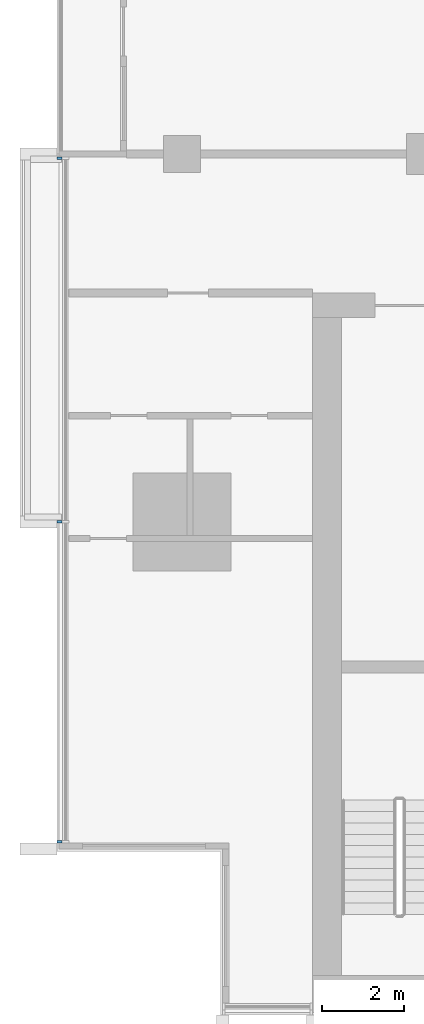
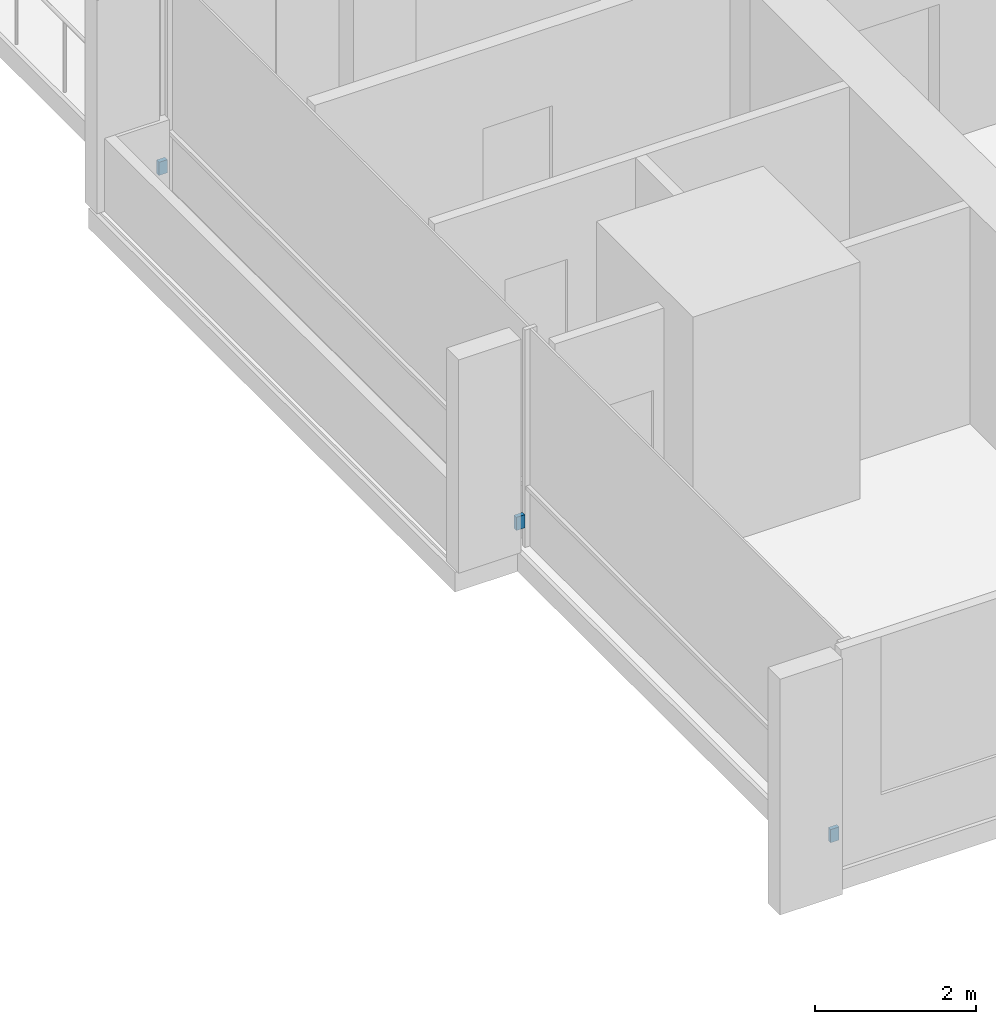
# One storey, part 13 of 17: 3 discrete accessories.
"""IFC4 building model written with IfcOpenShell, lengths in metres."""

from ifc_helpers import new_model, si_unit, direction, frame, origin, origin_2d, place, context, subcontext, project, spatial, rectangle, extrude, material, type_object, element, save


model = new_model("IFC4")

# Units and contexts
model_context = context("Model", 3, precision=1e-05, world=origin(), true_north=direction((0.0, 1.0)))
body_context = subcontext(model_context, "Body", "Model", "MODEL_VIEW")
ifc_project = project(units=[si_unit("LENGTHUNIT", "METRE"), si_unit("AREAUNIT", "SQUARE_METRE"), si_unit("VOLUMEUNIT", "CUBIC_METRE"), si_unit("PLANEANGLEUNIT", "RADIAN"), si_unit("MASSUNIT", "GRAM", prefix="KILO")], contexts=[model_context])

# Site, building, storey
site_placement = place(None, origin())
site = spatial("IfcSite", under=ifc_project, at=site_placement, CompositionType="ELEMENT")
building_placement = place(site_placement, origin())
building = spatial("IfcBuilding", under=site, at=building_placement, Name="Finial Court Residences", CompositionType="ELEMENT")
storey_placement = place(building_placement, frame((0.0, 0.0, 152.89990234375)))
storey = spatial("IfcBuildingStorey", under=building, at=storey_placement, Name="L37", CompositionType="ELEMENT", Elevation=152.89990234375)

# Discrete accessories
ifc_material = material(Name="Stainless steel 316", Category="steel")
discrete_accessory_type = type_object("IfcDiscreteAccessoryType", Name="Fin bracket, stainless steel 60 x 122 x 200", PredefinedType="BRACKET", material=ifc_material)
for number, where, z_axis, x_axis, name in (
    (1, (-19.498779296875, -21.320068359375, 0.30029296875), (0.0, 0.0, 1.0), (1.0, 0.0, 0.0), "E-L37-FIN-W22-BRK"),
    (2, (-19.498779296875, -13.5, 0.30029296875), (0.0, 0.0, 1.0), (1.0, 0.0, 0.0), "E-L37-FIN-W23-BRK"),
    (3, (-19.498779296875, -4.60498046875, 0.30029296875), (0.0, 0.0, 1.0), (1.0, 0.0, 0.0), "E-L37-FIN-W24-BRK"),
):
    element("IfcDiscreteAccessory", number, at=place(storey_placement, frame(where, z_axis=z_axis, x_axis=x_axis)), inside=storey, type_object=discrete_accessory_type, Name=name, PredefinedType="BRACKET", context=body_context, shape_type="SweptSolid", body=[
        extrude(rectangle(XDim=0.12255859375, YDim=0.06005859375, at=origin_2d()), origin(), (0.0, 0.0, 1.0), 0.199951171875),
    ])

save(model, "model.ifc")
